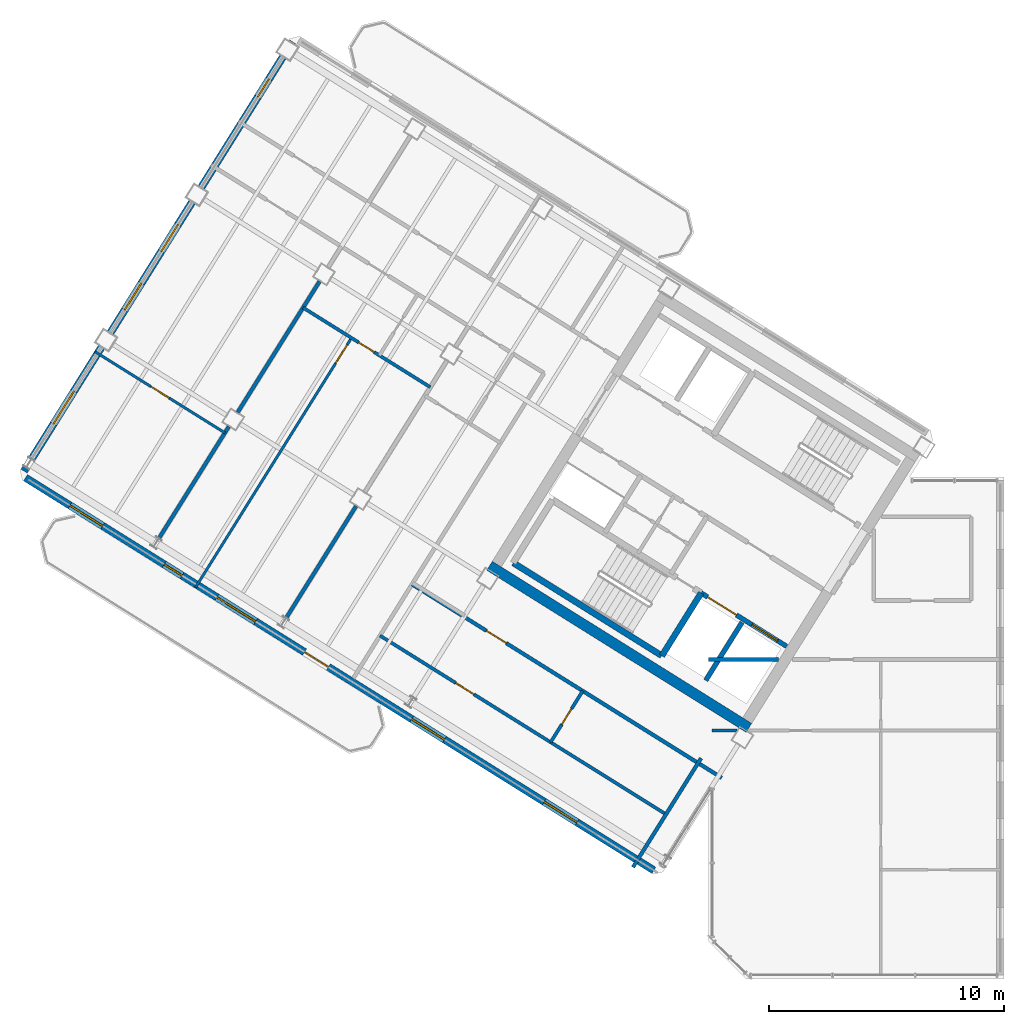
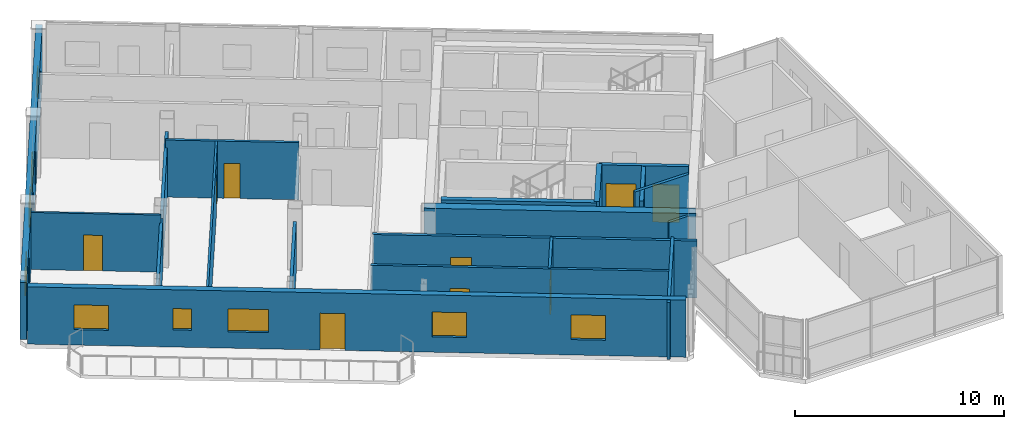
# One storey, part 8 of 17: 19 walls, 9 doors, 9 windows, 18 openings.
"""IFC4 building model written with IfcOpenShell, lengths in metres."""

from ifc_helpers import new_model, si_unit, direction, frame, frame_2d, origin, place, context, subcontext, project, spatial, rectangle, extrude, source, transform, mapped, material, layer, layer_set, type_object, element, fill, save


model = new_model("IFC4")

# Units and contexts
model_context = context("Model", 3, precision=1e-05, world=origin(), true_north=direction((0.0, 1.0)))
body_context = subcontext(model_context, "Body", "Model", "MODEL_VIEW")
ifc_project = project(units=[si_unit("LENGTHUNIT", "METRE"), si_unit("AREAUNIT", "SQUARE_METRE"), si_unit("VOLUMEUNIT", "CUBIC_METRE"), si_unit("PLANEANGLEUNIT", "RADIAN"), si_unit("MASSUNIT", "GRAM", prefix="KILO")], contexts=[model_context])

# Site, building, storey
site_placement = place(None, origin())
site = spatial("IfcSite", under=ifc_project, at=site_placement, CompositionType="ELEMENT")
building_placement = place(site_placement, origin())
building = spatial("IfcBuilding", under=site, at=building_placement, Name="Tlacorven Tower", CompositionType="ELEMENT")
storey_placement = place(building_placement, frame((0.0, 0.0, 277.199951171875)))
storey = spatial("IfcBuildingStorey", under=building, at=storey_placement, Name="L70", CompositionType="ELEMENT", Elevation=277.199951171875)

# Walls
ifc_material_1 = material(Name="Concrete C50/60", Category="concrete")
ifc_layer_1 = layer(ifc_material_1, 0.449951171875)
ifc_layer_set_1 = layer_set([ifc_layer_1], Name="Concrete C50/60")
wall_type_1 = type_object("IfcWallType", Name="WL-COR-450", PredefinedType="SHEAR", material=ifc_layer_set_1)
wall_1_placement = place(storey_placement, frame((33.32373046875, 12.5029296875, 0.0), z_axis=(0.0, 0.0, 1.0), x_axis=(-0.848043529849, 0.529926571782, 0.0)))
element("IfcWall", 1, at=wall_1_placement, inside=storey, type_object=wall_type_1, Name="L70 W core shear wall S2", PredefinedType="SHEAR", context=body_context, shape_type="SweptSolid", body=[
    extrude(rectangle(XDim=13.039794921875, YDim=0.449951171875, at=frame_2d((6.52001953125, 0.0))), origin(), (0.0, 0.0, 1.0), 3.35009765625),
])
ifc_material_2 = material(Name="Gypsum plasterboard acoustic partition", Category="gypsum")
ifc_layer_2 = layer(ifc_material_2, 0.159912109375)
ifc_layer_set_2 = layer_set([ifc_layer_2], Name="Gypsum plasterboard acoustic partition")
wall_type_2 = type_object("IfcWallType", Name="WL-DEM-160", PredefinedType="PARTITIONING", material=ifc_layer_set_2)
wall_2_placement = place(storey_placement, frame((16.57177734375, 21.954345703125, 0.0), z_axis=(0.0, 0.0, 1.0), x_axis=(-0.529904903214, -0.848057069748, 0.0)))
element("IfcWall", 2, at=wall_2_placement, inside=storey, type_object=wall_type_2, Name="L70 WN Demising Wall 1", PredefinedType="PARTITIONING", context=body_context, shape_type="SweptSolid", body=[
    extrude(rectangle(XDim=5.60107421875, YDim=0.159912109375, at=frame_2d((2.800537109375, 0.0))), origin(), (0.0, 0.0, 1.0), 2.875),
])
wall_3_placement = place(storey_placement, frame((15.0126953125, 31.53662109375, 0.0), z_axis=(0.0, 0.0, 1.0), x_axis=(-0.529922185033, -0.848046271031, 0.0)))
element("IfcWall", 3, at=wall_3_placement, inside=storey, type_object=wall_type_2, Name="L70 WN Demising Wall 2", PredefinedType="PARTITIONING", context=body_context, shape_type="SweptSolid", body=[
    extrude(rectangle(XDim=6.576171875, YDim=0.159912109375, at=frame_2d((3.2880859375, 0.0))), origin(), (0.0, 0.0, 1.0), 2.875),
])
wall_4_placement = place(storey_placement, frame((11.144287109375, 25.345947265625, 0.0), z_axis=(0.0, 0.0, 1.0), x_axis=(-0.529904903214, -0.848057069748, 0.0)))
element("IfcWall", 4, at=wall_4_placement, inside=storey, type_object=wall_type_2, Name="L70 WN Demising Wall 2", PredefinedType="PARTITIONING", context=body_context, shape_type="SweptSolid", body=[
    extrude(rectangle(XDim=5.60107421875, YDim=0.159912109375, at=frame_2d((2.800537109375, 0.0))), origin(), (0.0, 0.0, 1.0), 2.875),
])

# Wall, opening, door
wall_5_placement = place(storey_placement, frame((32.164306640625, 10.373779296875, 0.0), z_axis=(0.0, 0.0, 1.0), x_axis=(-0.848044107957, 0.529925646633, 0.0)))
wall_5 = element("IfcWall", 5, at=wall_5_placement, inside=storey, type_object=wall_type_2, Name="L70 partition 39", PredefinedType="PARTITIONING", context=body_context, shape_type="SweptSolid", body=[
    extrude(rectangle(XDim=15.570068359375, YDim=0.159912109375, at=frame_2d((7.78515625, 0.0))), origin(), (0.0, 0.0, 1.0), 3.340087890625),
])
opening_1_placement = place(wall_5_placement, frame((10.830078125, 0.0, 0.0)))
opening_1 = element("IfcOpeningElement", 6, at=opening_1_placement, cuts=wall_5, Name="Opening D11", PredefinedType="OPENING", context=body_context, shape_type="SweptSolid", body=[
    extrude(rectangle(XDim=1.0, YDim=2.10009765625, at=frame_2d((0.5, 1.050048828125))), frame((0.0, 0.08984375, 0.0), z_axis=(0.0, -1.0, 0.0), x_axis=(1.0, 0.0, 0.0)), (0.0, 0.0, 1.0), 0.179931640625),
])
ifc_material_3 = material(Name="Fire-rated steel door assembly", Category="steel")
door_type_1 = type_object("IfcDoorType", Name="DR-FLT-FD60-1000", OperationType="NOTDEFINED", PredefinedType="DOOR", material=ifc_material_3)
shared_shape_1 = source(origin(), body_context, "Body", "SweptSolid", [
    extrude(rectangle(XDim=1.0, YDim=2.10009765625, at=frame_2d((0.5, 1.050048828125))), frame((0.0, 0.02490234375, 0.0), z_axis=(0.0, -1.0, 0.0), x_axis=(1.0, 0.0, 0.0)), (0.0, 0.0, 1.0), 0.050048828125),
])
door_1_placement = place(opening_1_placement, origin())
door_1 = element("IfcDoor", 7, at=door_1_placement, inside=storey, type_object=door_type_1, Name="L70 door 027", OperationType="SINGLE_SWING_LEFT", OverallHeight=2.10009765625, OverallWidth=1.0, PredefinedType="DOOR", context=body_context, shape_type="MappedRepresentation", body=[
    mapped(shared_shape_1, transform((0.0, 0.0, 0.0), scale=1.0)),
])
fill(opening_1, door_1)

# Walls
wall_6_placement = place(storey_placement, frame((31.282470703125, 11.2080078125, 0.0), z_axis=(0.0, 0.0, 1.0), x_axis=(-0.529938869374, -0.84803584519, 0.0)))
element("IfcWall", 8, at=wall_6_placement, inside=storey, type_object=wall_type_2, Name="L70 WC West Throat Wall", PredefinedType="PARTITIONING", context=body_context, shape_type="SweptSolid", body=[
    extrude(rectangle(XDim=5.47998046875, YDim=0.159912109375, at=frame_2d((2.739990234375, 0.0))), origin(), (0.0, 0.0, 1.0), 3.340087890625),
])
wall_7_placement = place(storey_placement, frame((31.60009765625, 15.419921875, 0.0), z_axis=(0.0, 0.0, 1.0), x_axis=(1.0, 0.0, 0.0)))
element("IfcWall", 9, at=wall_7_placement, inside=storey, type_object=wall_type_2, Name="L70 Knuckle Corridor South Wall", PredefinedType="PARTITIONING", context=body_context, shape_type="SweptSolid", body=[
    extrude(rectangle(XDim=2.984130859375, YDim=0.159912109375, at=frame_2d((1.4921875, 0.0))), origin(), (0.0, 0.0, 1.0), 3.340087890625),
])

# Wall, openings, door, windows
ifc_material_4 = material(Name="Precast concrete C45/55", Category="concrete")
ifc_layer_3 = layer(ifc_material_4, 0.320068359375)
ifc_layer_set_3 = layer_set([ifc_layer_3], Name="Precast concrete C45/55")
wall_type_3 = type_object("IfcWallType", Name="WL-EXT-320", PredefinedType="STANDARD", material=ifc_layer_set_3)
wall_8_placement = place(storey_placement, frame((29.267822265625, 6.429443359375, 0.0), z_axis=(0.0, 0.0, 1.0), x_axis=(-0.848049971435, 0.529916263149, 0.0)))
wall_8 = element("IfcWall", 10, at=wall_8_placement, inside=storey, type_object=wall_type_3, Name="L70 Masonry-Frame Recessed Facade Wall 2", PredefinedType="STANDARD", context=body_context, shape_type="SweptSolid", body=[
    extrude(rectangle(XDim=31.587646484375, YDim=0.320068359375, at=frame_2d((15.7939453125, 0.0))), origin(), (0.0, 0.0, 1.0), 3.35009765625),
])
opening_2_placement = place(wall_8_placement, frame((16.36181640625, 0.0, 0.0)))
opening_2 = element("IfcOpeningElement", 11, at=opening_2_placement, cuts=wall_8, Name="Opening D05", PredefinedType="OPENING", context=body_context, shape_type="SweptSolid", body=[
    extrude(rectangle(XDim=1.199951171875, YDim=2.14990234375, at=frame_2d((0.60009765625, 1.074951171875))), frame((0.0, 0.169921875, 0.0), z_axis=(0.0, -1.0, 0.0), x_axis=(1.0, 0.0, 0.0)), (0.0, 0.0, 1.0), 0.340087890625),
])
opening_3_placement = place(wall_8_placement, frame((3.858642578125, 0.0, 0.89990234375)))
opening_3 = element("IfcOpeningElement", 12, at=opening_3_placement, cuts=wall_8, Name="Opening WN07", PredefinedType="OPENING", context=body_context, shape_type="SweptSolid", body=[
    extrude(rectangle(XDim=1.64990234375, YDim=1.449951171875, at=frame_2d((0.824951171875, 0.72509765625))), frame((0.0, 0.169921875, 0.0), z_axis=(0.0, -1.0, 0.0), x_axis=(1.0, 0.0, 0.0)), (0.0, 0.0, 1.0), 0.340087890625),
])
opening_4_placement = place(wall_8_placement, frame((10.518798828125, 0.0, 0.89990234375)))
opening_4 = element("IfcOpeningElement", 13, at=opening_4_placement, cuts=wall_8, Name="Opening WN07", PredefinedType="OPENING", context=body_context, shape_type="SweptSolid", body=[
    extrude(rectangle(XDim=1.64990234375, YDim=1.449951171875, at=frame_2d((0.824951171875, 0.72509765625))), frame((0.0, 0.169921875, 0.0), z_axis=(0.0, -1.0, 0.0), x_axis=(1.0, 0.0, 0.0)), (0.0, 0.0, 1.0), 0.340087890625),
])
opening_5_placement = place(wall_8_placement, frame((20.01513671875, 0.0, 0.949951171875)))
opening_5 = element("IfcOpeningElement", 14, at=opening_5_placement, cuts=wall_8, Name="Opening WN09", PredefinedType="OPENING", context=body_context, shape_type="SweptSolid", body=[
    extrude(rectangle(XDim=1.949951171875, YDim=1.35009765625, at=frame_2d((0.97509765625, 0.675048828125))), frame((0.0, 0.169921875, 0.0), z_axis=(0.0, -1.0, 0.0), x_axis=(1.0, 0.0, 0.0)), (0.0, 0.0, 1.0), 0.340087890625),
])
opening_6_placement = place(wall_8_placement, frame((23.715087890625, 0.0, 1.0)))
opening_6 = element("IfcOpeningElement", 15, at=opening_6_placement, cuts=wall_8, Name="Opening WN05", PredefinedType="OPENING", context=body_context, shape_type="SweptSolid", body=[
    extrude(rectangle(XDim=0.89990234375, YDim=1.25, at=frame_2d((0.449951171875, 0.625))), frame((0.0, 0.169921875, 0.0), z_axis=(0.0, -1.0, 0.0), x_axis=(1.0, 0.0, 0.0)), (0.0, 0.0, 1.0), 0.340087890625),
])
opening_7_placement = place(wall_8_placement, frame((27.70556640625, 0.0, 0.89990234375)))
opening_7 = element("IfcOpeningElement", 16, at=opening_7_placement, cuts=wall_8, Name="Opening WN07", PredefinedType="OPENING", context=body_context, shape_type="SweptSolid", body=[
    extrude(rectangle(XDim=1.64990234375, YDim=1.449951171875, at=frame_2d((0.824951171875, 0.72509765625))), frame((0.0, 0.169921875, 0.0), z_axis=(0.0, -1.0, 0.0), x_axis=(1.0, 0.0, 0.0)), (0.0, 0.0, 1.0), 0.340087890625),
])
ifc_material_5 = material(Name="Powder-coated aluminium and timber door", Category="wood")
door_type_2 = type_object("IfcDoorType", Name="DR-EXT-BALC-1200", OperationType="NOTDEFINED", PredefinedType="DOOR", material=ifc_material_5)
shared_shape_2 = source(origin(), body_context, "Body", "SweptSolid", [
    extrude(rectangle(XDim=1.199951171875, YDim=2.14990234375, at=frame_2d((0.60009765625, 1.074951171875))), frame((0.0, 0.02490234375, 0.0), z_axis=(0.0, -1.0, 0.0), x_axis=(1.0, 0.0, 0.0)), (0.0, 0.0, 1.0), 0.050048828125),
])
door_2_placement = place(opening_2_placement, origin())
door_2 = element("IfcDoor", 17, at=door_2_placement, inside=storey, type_object=door_type_2, Name="L70 Outdoor Access Door BAL-L70-W-OUT", OperationType="SINGLE_SWING_LEFT", OverallHeight=2.14990234375, OverallWidth=1.199951171875, PredefinedType="DOOR", context=body_context, shape_type="MappedRepresentation", body=[
    mapped(shared_shape_2, transform((0.0, 0.0, 0.0), scale=1.0)),
])
fill(opening_2, door_2)
ifc_material_6 = material(Name="Dark solar low-E double glazing in anodised aluminium frame", Category="aluminium")
window_type_1 = type_object("IfcWindowType", Name="WN-APT-0900X1350", PartitioningType="SINGLE_PANEL", PredefinedType="WINDOW", material=ifc_material_6)
shared_shape_3 = source(origin(), body_context, "Body", "SweptSolid", [
    extrude(rectangle(XDim=0.89990234375, YDim=1.25, at=frame_2d((0.449951171875, 0.625))), frame((0.0, 0.030029296875, 0.0), z_axis=(0.0, -1.0, 0.0), x_axis=(1.0, 0.0, 0.0)), (0.0, 0.0, 1.0), 0.06005859375),
])
window_1_placement = place(opening_6_placement, origin())
window_1 = element("IfcWindow", 18, at=window_1_placement, inside=storey, type_object=window_type_1, Name="L70 Recessed Masonry-Frame Window L70-02.4", OverallHeight=1.25, OverallWidth=0.89990234375, PartitioningType="SINGLE_PANEL", PredefinedType="WINDOW", context=body_context, shape_type="MappedRepresentation", body=[
    mapped(shared_shape_3, transform((0.0, 0.0, 0.0), scale=1.0)),
])
fill(opening_6, window_1)
window_type_2 = type_object("IfcWindowType", Name="WN-APT-1650X1600", PartitioningType="SINGLE_PANEL", PredefinedType="WINDOW", material=ifc_material_6)
shared_shape_4 = source(origin(), body_context, "Body", "SweptSolid", [
    extrude(rectangle(XDim=1.64990234375, YDim=1.449951171875, at=frame_2d((0.824951171875, 0.72509765625))), frame((0.0, 0.030029296875, 0.0), z_axis=(0.0, -1.0, 0.0), x_axis=(1.0, 0.0, 0.0)), (0.0, 0.0, 1.0), 0.06005859375),
])
window_2_placement = place(opening_3_placement, origin())
window_2 = element("IfcWindow", 19, at=window_2_placement, inside=storey, type_object=window_type_2, Name="L70 Recessed Masonry-Frame Window L70-02.1", OverallHeight=1.449951171875, OverallWidth=1.64990234375, PartitioningType="SINGLE_PANEL", PredefinedType="WINDOW", context=body_context, shape_type="MappedRepresentation", body=[
    mapped(shared_shape_4, transform((0.0, 0.0, 0.0), scale=1.0)),
])
fill(opening_3, window_2)
window_3_placement = place(opening_4_placement, origin())
window_3 = element("IfcWindow", 20, at=window_3_placement, inside=storey, type_object=window_type_2, Name="L70 Recessed Masonry-Frame Window L70-02.2", OverallHeight=1.449951171875, OverallWidth=1.64990234375, PartitioningType="SINGLE_PANEL", PredefinedType="WINDOW", context=body_context, shape_type="MappedRepresentation", body=[
    mapped(shared_shape_4, transform((0.0, 0.0, 0.0), scale=1.0)),
])
fill(opening_4, window_3)
window_4_placement = place(opening_7_placement, origin())
window_4 = element("IfcWindow", 21, at=window_4_placement, inside=storey, type_object=window_type_2, Name="L70 Recessed Masonry-Frame Window L70-02.5", OverallHeight=1.449951171875, OverallWidth=1.64990234375, PartitioningType="SINGLE_PANEL", PredefinedType="WINDOW", context=body_context, shape_type="MappedRepresentation", body=[
    mapped(shared_shape_4, transform((0.0, 0.0, 0.0), scale=1.0)),
])
fill(opening_7, window_4)
window_type_3 = type_object("IfcWindowType", Name="WN-GAL-1950X1450", PartitioningType="SINGLE_PANEL", PredefinedType="WINDOW", material=ifc_material_6)
shared_shape_5 = source(origin(), body_context, "Body", "SweptSolid", [
    extrude(rectangle(XDim=1.949951171875, YDim=1.35009765625, at=frame_2d((0.97509765625, 0.675048828125))), frame((0.0, 0.030029296875, 0.0), z_axis=(0.0, -1.0, 0.0), x_axis=(1.0, 0.0, 0.0)), (0.0, 0.0, 1.0), 0.06005859375),
])
window_5_placement = place(opening_5_placement, origin())
window_5 = element("IfcWindow", 22, at=window_5_placement, inside=storey, type_object=window_type_3, Name="L70 Recessed Masonry-Frame Window L70-02.3", OverallHeight=1.35009765625, OverallWidth=1.949951171875, PartitioningType="SINGLE_PANEL", PredefinedType="WINDOW", context=body_context, shape_type="MappedRepresentation", body=[
    mapped(shared_shape_5, transform((0.0, 0.0, 0.0), scale=1.0)),
])
fill(opening_5, window_5)

# Wall, openings, windows
wall_9_placement = place(storey_placement, frame((2.41455078125, 23.452392578125, 0.0), z_axis=(0.0, 0.0, 1.0), x_axis=(0.52991049553, 0.848053575387, 0.0)))
wall_9 = element("IfcWall", 23, at=wall_9_placement, inside=storey, type_object=wall_type_3, Name="L70 Masonry-Frame Recessed Facade Wall 3", PredefinedType="STANDARD", context=body_context, shape_type="SweptSolid", body=[
    extrude(rectangle(XDim=21.58740234375, YDim=0.320068359375, at=frame_2d((10.793701171875, 0.0))), origin(), (0.0, 0.0, 1.0), 3.35009765625),
])
opening_8_placement = place(wall_9_placement, frame((2.36767578125, 0.0, 0.89990234375)))
opening_8 = element("IfcOpeningElement", 24, at=opening_8_placement, cuts=wall_9, Name="Opening WN07", PredefinedType="OPENING", context=body_context, shape_type="SweptSolid", body=[
    extrude(rectangle(XDim=1.64990234375, YDim=1.449951171875, at=frame_2d((0.824951171875, 0.72509765625))), frame((0.0, 0.169921875, 0.0), z_axis=(0.0, -1.0, 0.0), x_axis=(1.0, 0.0, 0.0)), (0.0, 0.0, 1.0), 0.340087890625),
])
opening_9_placement = place(wall_9_placement, frame((8.09375, 0.0, 0.89990234375)))
opening_9 = element("IfcOpeningElement", 25, at=opening_9_placement, cuts=wall_9, Name="Opening WN08", PredefinedType="OPENING", context=body_context, shape_type="SweptSolid", body=[
    extrude(rectangle(XDim=1.35009765625, YDim=1.449951171875, at=frame_2d((0.675048828125, 0.72509765625))), frame((0.0, 0.169921875, 0.0), z_axis=(0.0, -1.0, 0.0), x_axis=(1.0, 0.0, 0.0)), (0.0, 0.0, 1.0), 0.340087890625),
])
opening_10_placement = place(wall_9_placement, frame((11.043701171875, 0.0, 0.89990234375)))
opening_10 = element("IfcOpeningElement", 26, at=opening_10_placement, cuts=wall_9, Name="Opening WN08", PredefinedType="OPENING", context=body_context, shape_type="SweptSolid", body=[
    extrude(rectangle(XDim=1.35009765625, YDim=1.449951171875, at=frame_2d((0.675048828125, 0.72509765625))), frame((0.0, 0.169921875, 0.0), z_axis=(0.0, -1.0, 0.0), x_axis=(1.0, 0.0, 0.0)), (0.0, 0.0, 1.0), 0.340087890625),
])
opening_11_placement = place(wall_9_placement, frame((18.80859375, 0.0, 1.0)))
opening_11 = element("IfcOpeningElement", 27, at=opening_11_placement, cuts=wall_9, Name="Opening WN05", PredefinedType="OPENING", context=body_context, shape_type="SweptSolid", body=[
    extrude(rectangle(XDim=0.89990234375, YDim=1.25, at=frame_2d((0.449951171875, 0.625))), frame((0.0, 0.169921875, 0.0), z_axis=(0.0, -1.0, 0.0), x_axis=(1.0, 0.0, 0.0)), (0.0, 0.0, 1.0), 0.340087890625),
])
window_6_placement = place(opening_11_placement, origin())
window_6 = element("IfcWindow", 28, at=window_6_placement, inside=storey, type_object=window_type_1, Name="L70 Recessed Masonry-Frame Window L70-03.4", OverallHeight=1.25, OverallWidth=0.89990234375, PartitioningType="SINGLE_PANEL", PredefinedType="WINDOW", context=body_context, shape_type="MappedRepresentation", body=[
    mapped(shared_shape_3, transform((0.0, 0.0, 0.0), scale=1.0)),
])
fill(opening_11, window_6)
window_7_placement = place(opening_8_placement, origin())
window_7 = element("IfcWindow", 29, at=window_7_placement, inside=storey, type_object=window_type_2, Name="L70 Recessed Masonry-Frame Window L70-03.1", OverallHeight=1.449951171875, OverallWidth=1.64990234375, PartitioningType="SINGLE_PANEL", PredefinedType="WINDOW", context=body_context, shape_type="MappedRepresentation", body=[
    mapped(shared_shape_4, transform((0.0, 0.0, 0.0), scale=1.0)),
])
fill(opening_8, window_7)
window_type_4 = type_object("IfcWindowType", Name="WN-APT-1350X1550", PartitioningType="SINGLE_PANEL", PredefinedType="WINDOW", material=ifc_material_6)
shared_shape_6 = source(origin(), body_context, "Body", "SweptSolid", [
    extrude(rectangle(XDim=1.35009765625, YDim=1.449951171875, at=frame_2d((0.675048828125, 0.72509765625))), frame((0.0, 0.030029296875, 0.0), z_axis=(0.0, -1.0, 0.0), x_axis=(1.0, 0.0, 0.0)), (0.0, 0.0, 1.0), 0.06005859375),
])
window_8_placement = place(opening_9_placement, origin())
window_8 = element("IfcWindow", 30, at=window_8_placement, inside=storey, type_object=window_type_4, Name="L70 Recessed Masonry-Frame Window L70-03.2", OverallHeight=1.449951171875, OverallWidth=1.35009765625, PartitioningType="SINGLE_PANEL", PredefinedType="WINDOW", context=body_context, shape_type="MappedRepresentation", body=[
    mapped(shared_shape_6, transform((0.0, 0.0, 0.0), scale=1.0)),
])
fill(opening_9, window_8)
window_9_placement = place(opening_10_placement, origin())
window_9 = element("IfcWindow", 31, at=window_9_placement, inside=storey, type_object=window_type_4, Name="L70 Recessed Masonry-Frame Window L70-03.3", OverallHeight=1.449951171875, OverallWidth=1.35009765625, PartitioningType="SINGLE_PANEL", PredefinedType="WINDOW", context=body_context, shape_type="MappedRepresentation", body=[
    mapped(shared_shape_6, transform((0.0, 0.0, 0.0), scale=1.0)),
])
fill(opening_10, window_9)

# Wall, opening, door
ifc_material_7 = material(Name="Gypsum plasterboard partition", Category="gypsum")
ifc_layer_4 = layer(ifc_material_7, 0.110107421875)
ifc_layer_set_4 = layer_set([ifc_layer_4], Name="Gypsum plasterboard partition")
wall_type_4 = type_object("IfcWallType", Name="WL-INT-110", PredefinedType="PARTITIONING", material=ifc_layer_set_4)
wall_10_placement = place(storey_placement, frame((16.376708984375, 29.130126953125, 0.0), z_axis=(0.0, 0.0, 1.0), x_axis=(-0.529923687379, -0.848045332252, 0.0)))
wall_10 = element("IfcWall", 32, at=wall_10_placement, inside=storey, type_object=wall_type_4, Name="L70 partition 35", PredefinedType="PARTITIONING", context=body_context, shape_type="SweptSolid", body=[
    extrude(rectangle(XDim=12.5400390625, YDim=0.110107421875, at=frame_2d((6.27001953125, 0.0))), origin(), (0.0, 0.0, 1.0), 3.340087890625),
])
opening_12_placement = place(wall_10_placement, frame((0.35009765625, 0.0, 0.0)))
opening_12 = element("IfcOpeningElement", 33, at=opening_12_placement, cuts=wall_10, Name="Opening D12", PredefinedType="OPENING", context=body_context, shape_type="SweptSolid", body=[
    extrude(rectangle(XDim=0.919921875, YDim=2.080078125, at=frame_2d((0.4599609375, 1.0400390625))), frame((0.0, 0.06494140625, 0.0), z_axis=(0.0, -1.0, 0.0), x_axis=(1.0, 0.0, 0.0)), (0.0, 0.0, 1.0), 0.130126953125),
])
door_type_3 = type_object("IfcDoorType", Name="DR-INT-ROOM-0920", OperationType="NOTDEFINED", PredefinedType="DOOR", material=ifc_material_5)
shared_shape_7 = source(origin(), body_context, "Body", "SweptSolid", [
    extrude(rectangle(XDim=0.919921875, YDim=2.080078125, at=frame_2d((0.4599609375, 1.0400390625))), frame((0.0, 0.02490234375, 0.0), z_axis=(0.0, -1.0, 0.0), x_axis=(1.0, 0.0, 0.0)), (0.0, 0.0, 1.0), 0.050048828125),
])
door_3_placement = place(opening_12_placement, origin())
door_3 = element("IfcDoor", 34, at=door_3_placement, inside=storey, type_object=door_type_3, Name="L70 door 018", OperationType="SINGLE_SWING_RIGHT", OverallHeight=2.080078125, OverallWidth=0.919921875, PredefinedType="DOOR", context=body_context, shape_type="MappedRepresentation", body=[
    mapped(shared_shape_7, transform((0.0, 0.0, 0.0), scale=1.0)),
])
fill(opening_12, door_3)

wall_11_placement = place(storey_placement, frame((10.97998046875, 25.0830078125, 0.0), z_axis=(0.0, 0.0, 1.0), x_axis=(-0.848048787466, 0.529918157905, 0.0)))
wall_11 = element("IfcWall", 35, at=wall_11_placement, inside=storey, type_object=wall_type_4, Name="L70 partition 36", PredefinedType="PARTITIONING", context=body_context, shape_type="SweptSolid", body=[
    extrude(rectangle(XDim=6.52001953125, YDim=0.110107421875, at=frame_2d((3.260009765625, 0.0))), origin(), (0.0, 0.0, 1.0), 3.340087890625),
])
opening_13_placement = place(wall_11_placement, frame((2.800048828125, 0.0, 0.0)))
opening_13 = element("IfcOpeningElement", 36, at=opening_13_placement, cuts=wall_11, Name="Opening D12", PredefinedType="OPENING", context=body_context, shape_type="SweptSolid", body=[
    extrude(rectangle(XDim=0.919921875, YDim=2.080078125, at=frame_2d((0.4599609375, 1.0400390625))), frame((0.0, 0.06494140625, 0.0), z_axis=(0.0, -1.0, 0.0), x_axis=(1.0, 0.0, 0.0)), (0.0, 0.0, 1.0), 0.130126953125),
])
door_4_placement = place(opening_13_placement, origin())
door_4 = element("IfcDoor", 37, at=door_4_placement, inside=storey, type_object=door_type_3, Name="L70 door 023", OperationType="SINGLE_SWING_LEFT", OverallHeight=2.080078125, OverallWidth=0.919921875, PredefinedType="DOOR", context=body_context, shape_type="MappedRepresentation", body=[
    mapped(shared_shape_7, transform((0.0, 0.0, 0.0), scale=1.0)),
])
fill(opening_13, door_4)

ifc_material_8 = material(Name="Moisture-resistant gypsum plumbing wall", Category="gypsum")
ifc_layer_5 = layer(ifc_material_8, 0.139892578125)
ifc_layer_set_5 = layer_set([ifc_layer_5], Name="Moisture-resistant gypsum plumbing wall")
wall_type_5 = type_object("IfcWallType", Name="WL-PLM-140", PredefinedType="PLUMBINGWALL", material=ifc_layer_set_5)
wall_12_placement = place(storey_placement, frame((19.74169921875, 27.02734375, 0.0), z_axis=(0.0, 0.0, 1.0), x_axis=(-0.848039019877, 0.529933789039, 0.0)))
wall_12 = element("IfcWall", 38, at=wall_12_placement, inside=storey, type_object=wall_type_5, Name="L70 partition 33", PredefinedType="PLUMBINGWALL", context=body_context, shape_type="SweptSolid", body=[
    extrude(rectangle(XDim=6.400146484375, YDim=0.139892578125, at=frame_2d((3.2001953125, 0.0))), origin(), (0.0, 0.0, 1.0), 3.340087890625),
])
opening_14_placement = place(wall_12_placement, frame((2.823974609375, 0.0, 0.0)))
opening_14 = element("IfcOpeningElement", 39, at=opening_14_placement, cuts=wall_12, Name="Opening D22", PredefinedType="OPENING", context=body_context, shape_type="SweptSolid", body=[
    extrude(rectangle(XDim=0.780029296875, YDim=2.050048828125, at=frame_2d((0.39013671875, 1.02490234375))), frame((0.0, 0.080078125, 0.0), z_axis=(0.0, -1.0, 0.0), x_axis=(1.0, 0.0, 0.0)), (0.0, 0.0, 1.0), 0.159912109375),
])
door_type_4 = type_object("IfcDoorType", Name="DR-INT-WET-0780", OperationType="NOTDEFINED", PredefinedType="DOOR", material=ifc_material_5)
shared_shape_8 = source(origin(), body_context, "Body", "SweptSolid", [
    extrude(rectangle(XDim=0.780029296875, YDim=2.050048828125, at=frame_2d((0.39013671875, 1.02490234375))), frame((0.0, 0.02490234375, 0.0), z_axis=(0.0, -1.0, 0.0), x_axis=(1.0, 0.0, 0.0)), (0.0, 0.0, 1.0), 0.050048828125),
])
door_5_placement = place(opening_14_placement, origin())
door_5 = element("IfcDoor", 40, at=door_5_placement, inside=storey, type_object=door_type_4, Name="L70 door 020", OperationType="SINGLE_SWING_RIGHT", OverallHeight=2.050048828125, OverallWidth=0.780029296875, PredefinedType="DOOR", context=body_context, shape_type="MappedRepresentation", body=[
    mapped(shared_shape_8, transform((0.0, 0.0, 0.0), scale=1.0)),
])
fill(opening_14, door_5)

wall_13_placement = place(storey_placement, frame((29.72021484375, 8.85888671875, 0.0), z_axis=(0.0, 0.0, 1.0), x_axis=(-0.848049134363, 0.529917602752, 0.0)))
wall_13 = element("IfcWall", 41, at=wall_13_placement, inside=storey, type_object=wall_type_5, Name="L70 partition 41", PredefinedType="PLUMBINGWALL", context=body_context, shape_type="SweptSolid", body=[
    extrude(rectangle(XDim=14.300048828125, YDim=0.139892578125, at=frame_2d((7.14990234375, 0.0))), origin(), (0.0, 0.0, 1.0), 3.340087890625),
])
opening_15_placement = place(wall_13_placement, frame((9.570068359375, 0.0, 0.0)))
opening_15 = element("IfcOpeningElement", 42, at=opening_15_placement, cuts=wall_13, Name="Opening D12", PredefinedType="OPENING", context=body_context, shape_type="SweptSolid", body=[
    extrude(rectangle(XDim=0.919921875, YDim=2.080078125, at=frame_2d((0.4599609375, 1.0400390625))), frame((0.0, 0.080078125, 0.0), z_axis=(0.0, -1.0, 0.0), x_axis=(1.0, 0.0, 0.0)), (0.0, 0.0, 1.0), 0.159912109375),
])
door_6_placement = place(opening_15_placement, origin())
door_6 = element("IfcDoor", 43, at=door_6_placement, inside=storey, type_object=door_type_3, Name="L70 door 028", OperationType="SINGLE_SWING_RIGHT", OverallHeight=2.080078125, OverallWidth=0.919921875, PredefinedType="DOOR", context=body_context, shape_type="MappedRepresentation", body=[
    mapped(shared_shape_7, transform((0.0, 0.0, 0.0), scale=1.0)),
])
fill(opening_15, door_6)

wall_14_placement = place(storey_placement, frame((26.236572265625, 14.077880859375, 0.0), z_axis=(0.0, 0.0, 1.0), x_axis=(-0.52995640672, -0.848024885824, 0.0)))
wall_14 = element("IfcWall", 44, at=wall_14_placement, inside=storey, type_object=wall_type_5, Name="L70 partition 42", PredefinedType="PLUMBINGWALL", context=body_context, shape_type="SweptSolid", body=[
    extrude(rectangle(XDim=2.579833984375, YDim=0.139892578125, at=frame_2d((1.2900390625, 0.0))), origin(), (0.0, 0.0, 1.0), 3.340087890625),
])
opening_16_placement = place(wall_14_placement, frame((0.89990234375, 0.0, 0.0)))
opening_16 = element("IfcOpeningElement", 45, at=opening_16_placement, cuts=wall_14, Name="Opening D22", PredefinedType="OPENING", context=body_context, shape_type="SweptSolid", body=[
    extrude(rectangle(XDim=0.780029296875, YDim=2.050048828125, at=frame_2d((0.39013671875, 1.02490234375))), frame((0.0, 0.080078125, 0.0), z_axis=(0.0, -1.0, 0.0), x_axis=(1.0, 0.0, 0.0)), (0.0, 0.0, 1.0), 0.159912109375),
])
door_7_placement = place(opening_16_placement, origin())
door_7 = element("IfcDoor", 46, at=door_7_placement, inside=storey, type_object=door_type_4, Name="L70 door 029", OperationType="SINGLE_SWING_LEFT", OverallHeight=2.050048828125, OverallWidth=0.780029296875, PredefinedType="DOOR", context=body_context, shape_type="MappedRepresentation", body=[
    mapped(shared_shape_8, transform((0.0, 0.0, 0.0), scale=1.0)),
])
fill(opening_16, door_7)

# Wall
wall_15_placement = place(storey_placement, frame((31.739990234375, 12.389892578125, 0.0), z_axis=(0.0, 0.0, 1.0), x_axis=(1.0, 0.0, 0.0)))
element("IfcWall", 47, at=wall_15_placement, inside=storey, type_object=wall_type_5, Name="L70 partition 50", PredefinedType="PLUMBINGWALL", context=body_context, shape_type="SweptSolid", body=[
    extrude(rectangle(XDim=1.068603515625, YDim=0.139892578125, at=frame_2d((0.5341796875, 0.0))), origin(), (0.0, 0.0, 1.0), 3.340087890625),
])

# Wall, openings, doors
ifc_material_9 = material(Name="Concrete C40/50", Category="concrete")
ifc_layer_6 = layer(ifc_material_9, 0.199951171875)
ifc_layer_set_6 = layer_set([ifc_layer_6], Name="Concrete C40/50")
wall_type_6 = type_object("IfcWallType", Name="WL-SHF-200", PredefinedType="STANDARD", material=ifc_layer_set_6)
wall_16_placement = place(storey_placement, frame((34.93310546875, 15.978271484375, 0.0), z_axis=(0.0, 0.0, 1.0), x_axis=(-0.848055739377, 0.529907032327, 0.0)))
wall_16 = element("IfcWall", 48, at=wall_16_placement, inside=storey, type_object=wall_type_6, Name="L70 Core W Firefighting Lift Shaft Front Wall", PredefinedType="STANDARD", context=body_context, shape_type="SweptSolid", body=[
    extrude(rectangle(XDim=4.298095703125, YDim=0.199951171875, at=frame_2d((2.14892578125, 0.0))), origin(), (0.0, 0.0, 1.0), 3.340087890625),
])
opening_17_placement = place(wall_16_placement, frame((0.447998046875, 0.0, 0.0)))
opening_17 = element("IfcOpeningElement", 49, at=opening_17_placement, cuts=wall_16, Name="Opening LD03", PredefinedType="OPENING", context=body_context, shape_type="SweptSolid", body=[
    extrude(rectangle(XDim=1.300048828125, YDim=2.199951171875, at=frame_2d((0.64990234375, 1.10009765625))), frame((0.0, 0.10986328125, 0.0), z_axis=(0.0, -1.0, 0.0), x_axis=(1.0, 0.0, 0.0)), (0.0, 0.0, 1.0), 0.219970703125),
])
opening_18_placement = place(wall_16_placement, frame((2.52294921875, 0.0, 0.0)))
opening_18 = element("IfcOpeningElement", 50, at=opening_18_placement, cuts=wall_16, Name="Opening LD04", PredefinedType="OPENING", context=body_context, shape_type="SweptSolid", body=[
    extrude(rectangle(XDim=1.449951171875, YDim=2.25, at=frame_2d((0.72509765625, 1.125))), frame((0.0, 0.10986328125, 0.0), z_axis=(0.0, -1.0, 0.0), x_axis=(1.0, 0.0, 0.0)), (0.0, 0.0, 1.0), 0.219970703125),
])
door_type_5 = type_object("IfcDoorType", Name="DR-LFT-SLID-1300", OperationType="DOUBLE_DOOR_SLIDING", PredefinedType="DOOR", material=ifc_material_3)
shared_shape_9 = source(origin(), body_context, "Body", "SweptSolid", [
    extrude(rectangle(XDim=1.300048828125, YDim=2.199951171875, at=frame_2d((0.64990234375, 1.10009765625))), frame((0.0, 0.02490234375, 0.0), z_axis=(0.0, -1.0, 0.0), x_axis=(1.0, 0.0, 0.0)), (0.0, 0.0, 1.0), 0.050048828125),
])
door_8_placement = place(opening_17_placement, origin())
door_8 = element("IfcDoor", 51, at=door_8_placement, inside=storey, type_object=door_type_5, Name="L70 Lift FFL-W1 Sliding Landing Door", OperationType="DOUBLE_DOOR_SLIDING", OverallHeight=2.199951171875, OverallWidth=1.300048828125, PredefinedType="DOOR", context=body_context, shape_type="MappedRepresentation", body=[
    mapped(shared_shape_9, transform((0.0, 0.0, 0.0), scale=1.0)),
])
fill(opening_17, door_8)
door_type_6 = type_object("IfcDoorType", Name="DR-LFT-SLID-1450", OperationType="DOUBLE_DOOR_SLIDING", PredefinedType="DOOR", material=ifc_material_3)
shared_shape_10 = source(origin(), body_context, "Body", "SweptSolid", [
    extrude(rectangle(XDim=1.449951171875, YDim=2.25, at=frame_2d((0.72509765625, 1.125))), frame((0.0, 0.02490234375, 0.0), z_axis=(0.0, -1.0, 0.0), x_axis=(1.0, 0.0, 0.0)), (0.0, 0.0, 1.0), 0.050048828125),
])
door_9_placement = place(opening_18_placement, origin())
door_9 = element("IfcDoor", 52, at=door_9_placement, inside=storey, type_object=door_type_6, Name="L70 Lift SVL-W1 Sliding Landing Door", OperationType="DOUBLE_DOOR_SLIDING", OverallHeight=2.25, OverallWidth=1.449951171875, PredefinedType="DOOR", context=body_context, shape_type="MappedRepresentation", body=[
    mapped(shared_shape_10, transform((0.0, 0.0, 0.0), scale=1.0)),
])
fill(opening_18, door_9)

# Walls
wall_17_placement = place(storey_placement, frame((33.02880859375, 17.003173828125, 0.0), z_axis=(0.0, 0.0, 1.0), x_axis=(-0.529916267533, -0.848049968695, 0.0)))
element("IfcWall", 53, at=wall_17_placement, inside=storey, type_object=wall_type_6, Name="L70 partition 11", PredefinedType="STANDARD", context=body_context, shape_type="SweptSolid", body=[
    extrude(rectangle(XDim=2.919921875, YDim=0.199951171875, at=frame_2d((1.4599609375, 0.0))), origin(), (0.0, 0.0, 1.0), 3.340087890625),
])
ifc_layer_7 = layer(ifc_material_1, 0.260009765625)
ifc_layer_set_7 = layer_set([ifc_layer_7], Name="Concrete C50/60")
wall_type_7 = type_object("IfcWallType", Name="WL-STW-260", PredefinedType="SHEAR", material=ifc_layer_set_7)
wall_18_placement = place(storey_placement, frame((29.60498046875, 15.581298828125, 0.0), z_axis=(0.0, 0.0, 1.0), x_axis=(-0.848036911448, 0.529937163087, 0.0)))
element("IfcWall", 54, at=wall_18_placement, inside=storey, type_object=wall_type_7, Name="L70 Stair W1 Far Shear Wall", PredefinedType="SHEAR", context=body_context, shape_type="SweptSolid", body=[
    extrude(rectangle(XDim=7.4599609375, YDim=0.260009765625, at=frame_2d((3.72998046875, 0.0))), origin(), (0.0, 0.0, 1.0), 3.35009765625),
])
wall_19_placement = place(storey_placement, frame((31.2880859375, 18.255859375, 0.0), z_axis=(0.0, 0.0, 1.0), x_axis=(-0.529943379326, -0.848033026897, 0.0)))
element("IfcWall", 55, at=wall_19_placement, inside=storey, type_object=wall_type_7, Name="L70 Stair W1 West Shear Wall", PredefinedType="SHEAR", context=body_context, shape_type="SweptSolid", body=[
    extrude(rectangle(XDim=3.159912109375, YDim=0.260009765625, at=frame_2d((1.580078125, 0.0))), origin(), (0.0, 0.0, 1.0), 3.35009765625),
])

save(model, "model.ifc")
